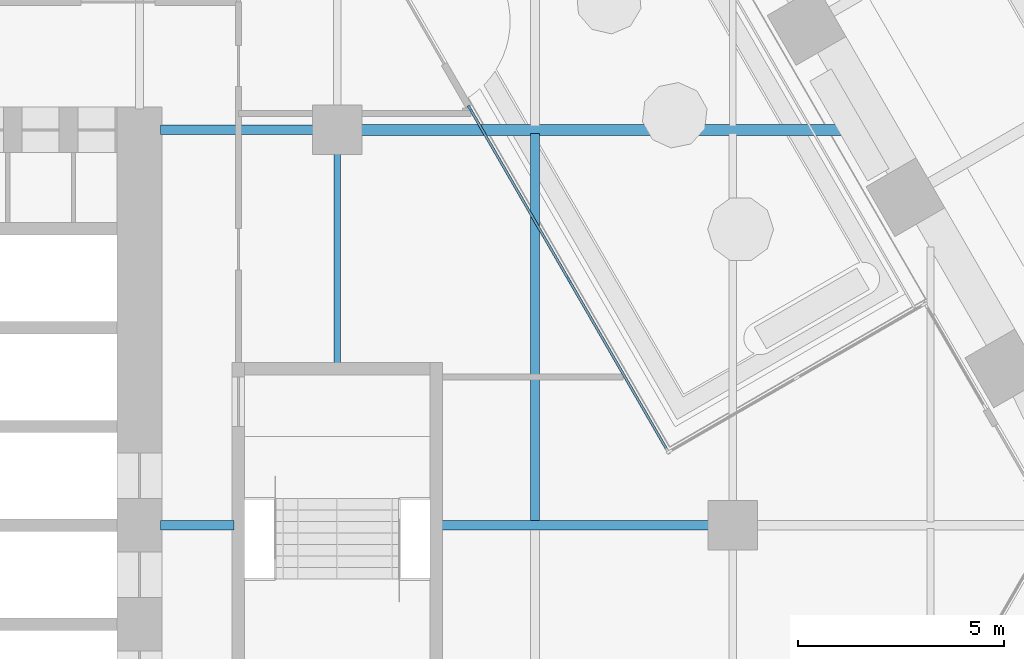
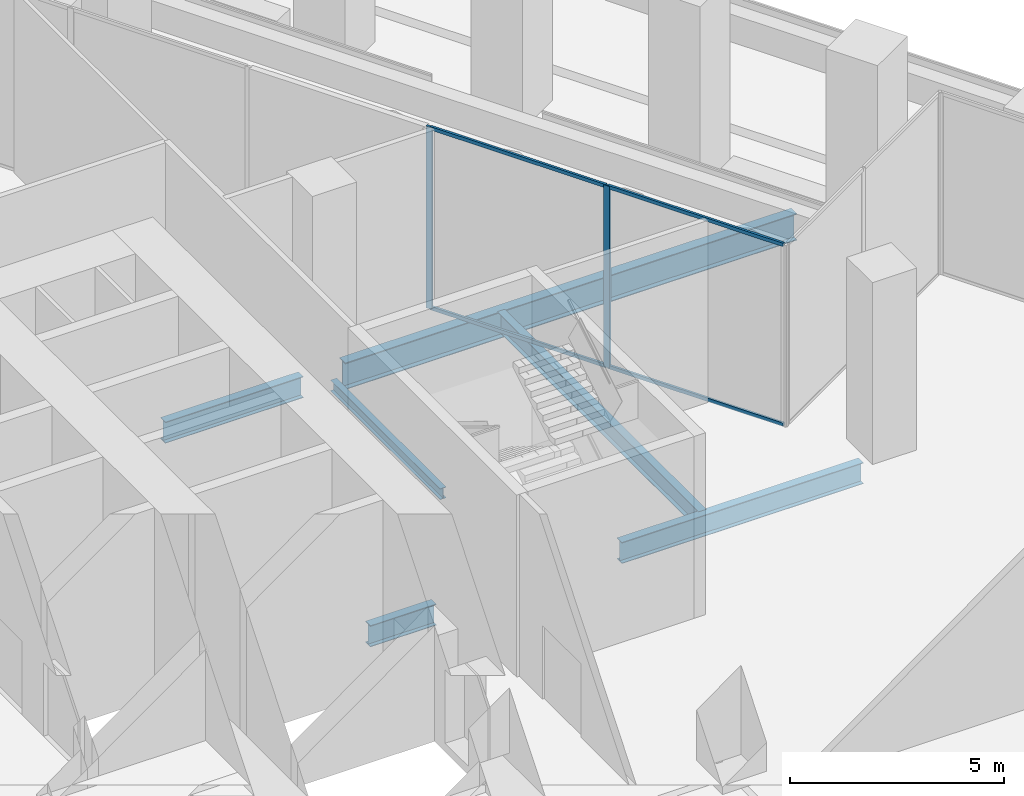
# One storey, part 10 of 32: 6 beams, 6 members, 1 element without a shape of its own.
"""IFC4 building model written with IfcOpenShell, lengths in metres."""

import ifcopenshell
import ifcopenshell.guid

model = None  # the IFC model being written
_history = None  # IfcOwnerHistory: only IFC2X3 demands one
_inside = {}  # id of a spatial element -> (the spatial element, [elements in it])
_under = {}  # id of a project, library or spatial element -> (it, [spatial elements below it])
_declared = {}  # id of a project -> (the project, [libraries it declares])
_typed = {}  # id of a type object -> (the type object, [elements of that type])
_made_of = {}  # id of a material, layer set ... -> (it, [elements and type objects made of it])


def new_model(schema):
    """Start an empty IFC model of exactly this schema.

    Asked for "IFC4X3", IfcOpenShell would pick the latest addendum, in which some entities
    have other attributes; the version numbers below select the first issue.
    IFC2X3 requires an IfcOwnerHistory on every rooted entity: one is made here for all.
    """
    global model, _history
    if schema == "IFC4X3":
        model = ifcopenshell.file(schema_version=(4, 3, 0, 0))
    else:
        model = ifcopenshell.file(schema=schema)
    _inside.clear()
    _under.clear()
    _declared.clear()
    _typed.clear()
    _made_of.clear()
    _history = None
    if model.schema == "IFC2X3":
        org = make("IfcOrganization", Name="unknown")
        user = make(
            "IfcPersonAndOrganization",
            ThePerson=make("IfcPerson", FamilyName="unknown"),
            TheOrganization=org,
        )
        app = make(
            "IfcApplication",
            ApplicationDeveloper=org,
            Version="unknown",
            ApplicationFullName="unknown",
            ApplicationIdentifier="unknown",
        )
        _history = make(
            "IfcOwnerHistory",
            OwningUser=user,
            OwningApplication=app,
            ChangeAction="ADDED",
            CreationDate=0,
        )
    return model


def make(cls, **values):
    """One entity of the class cls with the attributes given. An attribute that is None is left unset."""
    return model.create_entity(
        cls, **{name: value for name, value in values.items() if value is not None}
    )


def rooted(cls, **values):
    """An entity with a GlobalId (a new one), such as an element, a storey or a relation."""
    return make(cls, GlobalId=ifcopenshell.guid.new(), OwnerHistory=_history, **values)


def si_unit(unit_type, name, prefix=None):
    """IfcSIUnit, for example si_unit("LENGTHUNIT", "METRE", prefix="MILLI")."""
    return make("IfcSIUnit", UnitType=unit_type, Prefix=prefix, Name=name)


def assignment(units):
    """IfcUnitAssignment: the units of a project."""
    return None if units is None else make("IfcUnitAssignment", Units=units)


def point(xyz):
    """IfcCartesianPoint."""
    return None if xyz is None else make("IfcCartesianPoint", Coordinates=xyz)


def direction(xyz):
    """IfcDirection."""
    return None if xyz is None else make("IfcDirection", DirectionRatios=xyz)


def frame(location, z_axis=None, x_axis=None):
    """IfcAxis2Placement3D, a coordinate frame: its origin and axes. An axis left out is left unset."""
    return make(
        "IfcAxis2Placement3D",
        Location=point(location),
        Axis=direction(z_axis),
        RefDirection=direction(x_axis),
    )


def frame_2d(location, x_axis=None):
    """IfcAxis2Placement2D, a coordinate frame in the plane: its origin and x axis."""
    return make(
        "IfcAxis2Placement2D", Location=point(location), RefDirection=direction(x_axis)
    )


def origin():
    """The frame at (0, 0, 0) with its axes left unset."""
    return frame((0.0, 0.0, 0.0))


def origin_2d():
    """The frame at (0, 0) in the plane with its x axis left unset."""
    return frame_2d((0.0, 0.0))


def place(relative_to, where):
    """IfcLocalPlacement: puts the frame where relative to a parent placement (None: the world)."""
    return make(
        "IfcLocalPlacement", PlacementRelTo=relative_to, RelativePlacement=where
    )


def context(
    kind, dimensions, precision=None, world=None, true_north=None, identifier=None
):
    """IfcGeometricRepresentationContext, for example the 3D "Model" context."""
    return make(
        "IfcGeometricRepresentationContext",
        ContextIdentifier=identifier,
        ContextType=kind,
        CoordinateSpaceDimension=dimensions,
        Precision=precision,
        WorldCoordinateSystem=world,
        TrueNorth=true_north,
    )


def subcontext(parent, identifier, kind, view, scale=None):
    """IfcGeometricRepresentationSubContext, for example "Body" below "Model"."""
    return make(
        "IfcGeometricRepresentationSubContext",
        ContextIdentifier=identifier,
        ContextType=kind,
        ParentContext=parent,
        TargetScale=scale,
        TargetView=view,
    )


def project(units=None, contexts=None):
    """IfcProject with its units and contexts."""
    return rooted(
        "IfcProject",
        Name="project",
        RepresentationContexts=contexts,
        UnitsInContext=assignment(units),
    )


def spatial(cls, under=None, at=None, **own):
    """A site, building, storey or space (cls), placed at a placement, below another one or the project."""
    s = rooted(cls, ObjectPlacement=at, **own)
    if under is not None:
        _under.setdefault(under.id(), (under, []))[1].append(s)
    return s


def profile(cls, at=None, kind="AREA", **sizes):
    """A parametric profile (cls). Its sizes go by their IFC names, for example OverallWidth=200.0."""
    return make(cls, ProfileType=kind, Position=at, **sizes)


def rectangle(**sizes):
    """IfcRectangleProfileDef."""
    return profile("IfcRectangleProfileDef", **sizes)


def i_section(**sizes):
    """IfcIShapeProfileDef."""
    return profile("IfcIShapeProfileDef", **sizes)


def extrude(swept, where, along, depth):
    """IfcExtrudedAreaSolid: the profile swept, set in the frame where, extruded along a direction by depth."""
    return make(
        "IfcExtrudedAreaSolid",
        SweptArea=swept,
        Position=where,
        ExtrudedDirection=direction(along),
        Depth=depth,
    )


def shape(context_of_items, identifier, shape_type, items):
    """IfcShapeRepresentation: the items that make up one representation, for example the "Body"."""
    return make(
        "IfcShapeRepresentation",
        ContextOfItems=context_of_items,
        RepresentationIdentifier=identifier,
        RepresentationType=shape_type,
        Items=items,
    )


def material(Name=None, Category=None):
    """IfcMaterial."""
    return make("IfcMaterial", Name=Name, Category=Category)


def material_profile(
    of_material, cross_section, Name=None, Category=None, Priority=None
):
    """IfcMaterialProfile: a cross section and its material."""
    return make(
        "IfcMaterialProfile",
        Name=Name,
        Material=of_material,
        Profile=cross_section,
        Priority=Priority,
        Category=Category,
    )


def profile_set(profiles, Name=None, composite=None):
    """IfcMaterialProfileSet."""
    return make(
        "IfcMaterialProfileSet",
        Name=Name,
        MaterialProfiles=profiles,
        CompositeProfile=composite,
    )


def made_of(thing, what):
    """Note that an element or type object is made of a material, layer set ...; save() writes the relation."""
    if what is not None:
        _made_of.setdefault(what.id(), (what, []))[1].append(thing)
    return thing


def type_object(cls, material=None, **own):
    """A type object (cls), such as IfcWallType, which elements share."""
    return made_of(rooted(cls, **own), material)


def element(
    cls,
    number,
    at=None,
    inside=None,
    cuts=None,
    type_object=None,
    material=None,
    context=None,
    identifier="Body",
    shape_type=None,
    held_by="IfcProductDefinitionShape",
    body=None,
    shapes=None,
    **own,
):
    """One element of the class cls, such as IfcWall. Its Tag is "e" and its number.

    at: its placement. inside: the storey or other place that contains it. cuts: it is an
    opening in that element (IfcRelVoidsElement). A single representation is given by context,
    identifier, shape_type and body (its items); several are given by shapes. held_by: the class
    of the entity that holds the representations. save() writes the other relations.
    """
    e = rooted(cls, Tag="e%d" % number, ObjectPlacement=at, **own)
    if body is not None:
        shapes = [shape(context, identifier, shape_type, body)]
    if shapes is not None:
        e.Representation = make(held_by, Representations=shapes)
    if inside is not None:
        _inside.setdefault(inside.id(), (inside, []))[1].append(e)
    if cuts is not None:
        rooted(
            "IfcRelVoidsElement", RelatingBuildingElement=cuts, RelatedOpeningElement=e
        )
    if type_object is not None:
        _typed.setdefault(type_object.id(), (type_object, []))[1].append(e)
    return made_of(e, material)


def aggregate(whole, parts):
    """IfcRelAggregates: a whole, such as a stair, and the parts it consists of."""
    return rooted("IfcRelAggregates", RelatingObject=whole, RelatedObjects=parts)


def save(model, path):
    """Write the relations noted so far, then the file.

    IfcRelAggregates (storeys below a building ...), IfcRelContainedInSpatialStructure (elements
    in a storey), IfcRelDefinesByType, IfcRelAssociatesMaterial and IfcRelDeclares: one each for
    every whole, place, type object, material and project.
    """
    for whole, parts in _under.values():
        aggregate(whole, parts)
    for where, things in _inside.values():
        rooted(
            "IfcRelContainedInSpatialStructure",
            RelatedElements=things,
            RelatingStructure=where,
        )
    for kind, things in _typed.values():
        rooted("IfcRelDefinesByType", RelatedObjects=things, RelatingType=kind)
    for what, things in _made_of.values():
        rooted("IfcRelAssociatesMaterial", RelatedObjects=things, RelatingMaterial=what)
    for by, libraries in _declared.values():
        rooted("IfcRelDeclares", RelatingContext=by, RelatedDefinitions=libraries)
    model.write(path)


model = new_model("IFC4")

# Units and contexts
model_context = context("Model", 3, precision=1e-05, world=origin(), true_north=direction((0.0, 1.0)))
body_context = subcontext(model_context, "Body", "Model", "MODEL_VIEW")
ifc_project = project(units=[si_unit("LENGTHUNIT", "METRE"), si_unit("AREAUNIT", "SQUARE_METRE"), si_unit("VOLUMEUNIT", "CUBIC_METRE"), si_unit("PLANEANGLEUNIT", "RADIAN"), si_unit("MASSUNIT", "GRAM", prefix="KILO")], contexts=[model_context])

# Site, building, storey
site_placement = place(None, origin())
site = spatial("IfcSite", under=ifc_project, at=site_placement, CompositionType="ELEMENT")
building_placement = place(site_placement, origin())
building = spatial("IfcBuilding", under=site, at=building_placement, Name="Kolab Exchange Tower", CompositionType="ELEMENT")
storey_placement = place(building_placement, frame((0.0, 0.0, 60.89990234375)))
storey = spatial("IfcBuildingStorey", under=building, at=storey_placement, Name="L11", CompositionType="ELEMENT", Elevation=60.89990234375)

# Beams
ifc_material_1 = material(Name="Steel S355", Category="steel")
ifc_material_profile_1 = material_profile(ifc_material_1, i_section(OverallWidth=0.1650390625, OverallDepth=0.31005859375, WebThickness=0.005859375, FlangeThickness=0.009765625, at=origin_2d()), Name="W310X39")
ifc_profile_set_1 = profile_set([ifc_material_profile_1], Name="Steel S355")
beam_type_1 = type_object("IfcBeamType", Name="FLOOR BEAM W310X39", PredefinedType="BEAM", material=ifc_profile_set_1)
beam_1_placement = place(storey_placement, frame((19.199951171875, 3.909912109375, -0.40478515625), z_axis=(0.0, 1.0, 0.0), x_axis=(-1.0, 0.0, 0.0)))
element("IfcBeam", 1, at=beam_1_placement, inside=storey, type_object=beam_type_1, Name="beam/L11/fr/049", PredefinedType="BEAM", context=body_context, shape_type="SweptSolid", body=[
    extrude(i_section(OverallWidth=0.1650390625, OverallDepth=0.31005859375, WebThickness=0.005859375, FlangeThickness=0.009765625, at=origin_2d()), origin(), (0.0, 0.0, 1.0), 5.130126953125),
])
ifc_material_profile_2 = material_profile(ifc_material_1, i_section(OverallWidth=0.208984375, OverallDepth=0.532958984375, WebThickness=0.01025390625, FlangeThickness=0.015625, at=origin_2d()), Name="W530X92")
ifc_profile_set_2 = profile_set([ifc_material_profile_2], Name="Steel S355")
beam_type_2 = type_object("IfcBeamType", Name="FLOOR BEAM W530X92", PredefinedType="BEAM", material=ifc_profile_set_2)
beam_2_placement = place(storey_placement, frame((24.0, 0.073974609375, -0.516357421875), z_axis=(0.0, 1.0, 0.0), x_axis=(-1.0, 0.0, 0.0)))
element("IfcBeam", 2, at=beam_2_placement, inside=storey, type_object=beam_type_2, Name="beam/L11/fr/055", PredefinedType="BEAM", context=body_context, shape_type="SweptSolid", body=[
    extrude(i_section(OverallWidth=0.208984375, OverallDepth=0.532958984375, WebThickness=0.01025390625, FlangeThickness=0.015625, at=origin_2d()), origin(), (0.0, 0.0, 1.0), 9.4326171875),
])
ifc_material_profile_3 = material_profile(ifc_material_1, i_section(OverallWidth=0.22802734375, OverallDepth=0.60791015625, WebThickness=0.01123046875, FlangeThickness=0.017333984375, at=origin_2d()), Name="W610X113")
ifc_profile_set_3 = profile_set([ifc_material_profile_3], Name="Steel S355")
beam_type_3 = type_object("IfcBeamType", Name="FLOOR GIRDER W610X113", PredefinedType="BEAM", material=ifc_profile_set_3)
beam_3_placement = place(storey_placement, frame((14.909912109375, 0.0, -0.553955078125), z_axis=(1.0, 0.0, 0.0), x_axis=(0.0, 1.0, 0.0)))
element("IfcBeam", 3, at=beam_3_placement, inside=storey, type_object=beam_type_3, Name="beam/L11/gd/018", PredefinedType="BEAM", context=body_context, shape_type="SweptSolid", body=[
    extrude(i_section(OverallWidth=0.22802734375, OverallDepth=0.60791015625, WebThickness=0.01123046875, FlangeThickness=0.017333984375, at=origin_2d()), origin(), (0.0, 0.0, 1.0), 1.780029296875),
])
beam_4_placement = place(storey_placement, frame((14.909912109375, 9.60009765625, -0.553955078125), z_axis=(1.0, 0.0, 0.0), x_axis=(0.0, 1.0, 0.0)))
element("IfcBeam", 4, at=beam_4_placement, inside=storey, type_object=beam_type_3, Name="beam/L11/gd/019", PredefinedType="BEAM", context=body_context, shape_type="SweptSolid", body=[
    extrude(i_section(OverallWidth=0.22802734375, OverallDepth=0.60791015625, WebThickness=0.01123046875, FlangeThickness=0.017333984375, at=origin_2d()), origin(), (0.0, 0.0, 1.0), 3.72998046875),
])
beam_5_placement = place(storey_placement, frame((21.7099609375, 0.0, -0.553955078125), z_axis=(1.0, 0.0, 0.0), x_axis=(0.0, 1.0, 0.0)))
element("IfcBeam", 5, at=beam_5_placement, inside=storey, type_object=beam_type_3, Name="beam/L11/gd/024", PredefinedType="BEAM", context=body_context, shape_type="SweptSolid", body=[
    extrude(i_section(OverallWidth=0.22802734375, OverallDepth=0.60791015625, WebThickness=0.01123046875, FlangeThickness=0.017333984375, at=origin_2d()), origin(), (0.0, 0.0, 1.0), 6.530029296875),
])
ifc_material_profile_4 = material_profile(ifc_material_1, i_section(OverallWidth=0.26708984375, OverallDepth=0.761962890625, WebThickness=0.014404296875, FlangeThickness=0.021484375, at=origin_2d()), Name="W760X173")
ifc_profile_set_4 = profile_set([ifc_material_profile_4], Name="Steel S355")
beam_type_4 = type_object("IfcBeamType", Name="FLOOR GIRDER W760X173", PredefinedType="BEAM", material=ifc_profile_set_4)
beam_6_placement = place(storey_placement, frame((19.760009765625, 9.60009765625, -0.630859375), z_axis=(1.0, 0.0, 0.0), x_axis=(0.0, 1.0, 0.0)))
element("IfcBeam", 6, at=beam_6_placement, inside=storey, type_object=beam_type_4, Name="beam/L11/gd/022", PredefinedType="BEAM", context=body_context, shape_type="SweptSolid", body=[
    extrude(i_section(OverallWidth=0.26708984375, OverallDepth=0.761962890625, WebThickness=0.014404296875, FlangeThickness=0.021484375, at=origin_2d()), origin(), (0.0, 0.0, 1.0), 12.213623046875),
])

# Curtain wall, members
ifc_material_2 = material(Name="Aluminium EN AW-6063 T6", Category="aluminium")
curtain_wall_type = type_object("IfcCurtainWallType", Name="UNITISED LOW ZONE CURTAIN WALL", PredefinedType="NOTDEFINED", material=ifc_material_2)
curtain_wall_placement = place(storey_placement, origin())
curtain_wall = element("IfcCurtainWall", 7, at=curtain_wall_placement, inside=storey, type_object=curtain_wall_type, Name="cw/L11/F2-back-2", PredefinedType="NOTDEFINED")
ifc_material_profile_5 = material_profile(ifc_material_2, rectangle(XDim=0.06005859375, YDim=0.159912109375, at=origin_2d()), Name="RECT 60X160")
ifc_profile_set_5 = profile_set([ifc_material_profile_5], Name="Aluminium EN AW-6063 T6")
member_type_1 = type_object("IfcMemberType", Name="UNITISED LOW ZONE MULLION 60 X 160", PredefinedType="MULLION", material=ifc_profile_set_5)
member_1_placement = place(storey_placement, frame((22.419189453125, 10.119384765625, 0.0), z_axis=(0.0, 0.0, 1.0), x_axis=(0.866025416665, 0.49999997769, 0.0)))
member_1 = element("IfcMember", 8, at=member_1_placement, type_object=member_type_1, Name="CW1 mullion 1", PredefinedType="MULLION", context=body_context, shape_type="SweptSolid", body=[
    extrude(rectangle(XDim=0.06005859375, YDim=0.159912109375, at=origin_2d()), origin(), (0.0, 0.0, 1.0), 5.2001953125),
])
member_2_placement = place(storey_placement, frame((24.8203125, 5.960693359375, 0.0), z_axis=(0.0, 0.0, 1.0), x_axis=(0.866025416665, 0.49999997769, 0.0)))
member_2 = element("IfcMember", 9, at=member_2_placement, type_object=member_type_1, Name="CW1 mullion 2", PredefinedType="MULLION", context=body_context, shape_type="SweptSolid", body=[
    extrude(rectangle(XDim=0.06005859375, YDim=0.159912109375, at=origin_2d()), origin(), (0.0, 0.0, 1.0), 5.2001953125),
])
ifc_material_profile_6 = material_profile(ifc_material_2, rectangle(XDim=0.06005859375, YDim=0.10009765625, at=origin_2d()), Name="RECT 60X100")
ifc_profile_set_6 = profile_set([ifc_material_profile_6], Name="Aluminium EN AW-6063 T6")
member_type_2 = type_object("IfcMemberType", Name="UNITISED LOW ZONE TRANSOM 60 X 100", PredefinedType="USERDEFINED", material=ifc_profile_set_6)
member_3_placement = place(storey_placement, frame((22.434326171875, 10.093505859375, 0.030029296875), z_axis=(0.499976488486, -0.866038977738, 0.0), x_axis=(0.866038977738, 0.499976488486, 0.0)))
member_3 = element("IfcMember", 10, at=member_3_placement, type_object=member_type_2, Name="CW1 transom 1.1", ObjectType="TRANSOM", PredefinedType="USERDEFINED", context=body_context, shape_type="SweptSolid", body=[
    extrude(rectangle(XDim=0.06005859375, YDim=0.10009765625, at=origin_2d()), origin(), (0.0, 0.0, 1.0), 4.741943359375),
])
member_4_placement = place(storey_placement, frame((22.434326171875, 10.093505859375, 5.170166015625), z_axis=(0.499976488486, -0.866038977738, 0.0), x_axis=(0.866038977738, 0.499976488486, 0.0)))
member_4 = element("IfcMember", 11, at=member_4_placement, type_object=member_type_2, Name="CW1 transom 1.2", ObjectType="TRANSOM", PredefinedType="USERDEFINED", context=body_context, shape_type="SweptSolid", body=[
    extrude(rectangle(XDim=0.06005859375, YDim=0.10009765625, at=origin_2d()), origin(), (0.0, 0.0, 1.0), 4.741943359375),
])
member_5_placement = place(storey_placement, frame((24.835205078125, 5.934814453125, 0.030029296875), z_axis=(0.500015102392, -0.866016684239, 0.0), x_axis=(0.866016684239, 0.500015102392, 0.0)))
member_5 = element("IfcMember", 12, at=member_5_placement, type_object=member_type_2, Name="CW1 transom 2.1", ObjectType="TRANSOM", PredefinedType="USERDEFINED", context=body_context, shape_type="SweptSolid", body=[
    extrude(rectangle(XDim=0.06005859375, YDim=0.10009765625, at=origin_2d()), origin(), (0.0, 0.0, 1.0), 4.741943359375),
])
member_6_placement = place(storey_placement, frame((24.835205078125, 5.934814453125, 5.170166015625), z_axis=(0.500015102392, -0.866016684239, 0.0), x_axis=(0.866016684239, 0.500015102392, 0.0)))
member_6 = element("IfcMember", 13, at=member_6_placement, type_object=member_type_2, Name="CW1 transom 2.2", ObjectType="TRANSOM", PredefinedType="USERDEFINED", context=body_context, shape_type="SweptSolid", body=[
    extrude(rectangle(XDim=0.06005859375, YDim=0.10009765625, at=origin_2d()), origin(), (0.0, 0.0, 1.0), 4.741943359375),
])
aggregate(curtain_wall, [member_1, member_2, member_3, member_4, member_5, member_6])

save(model, "model.ifc")
